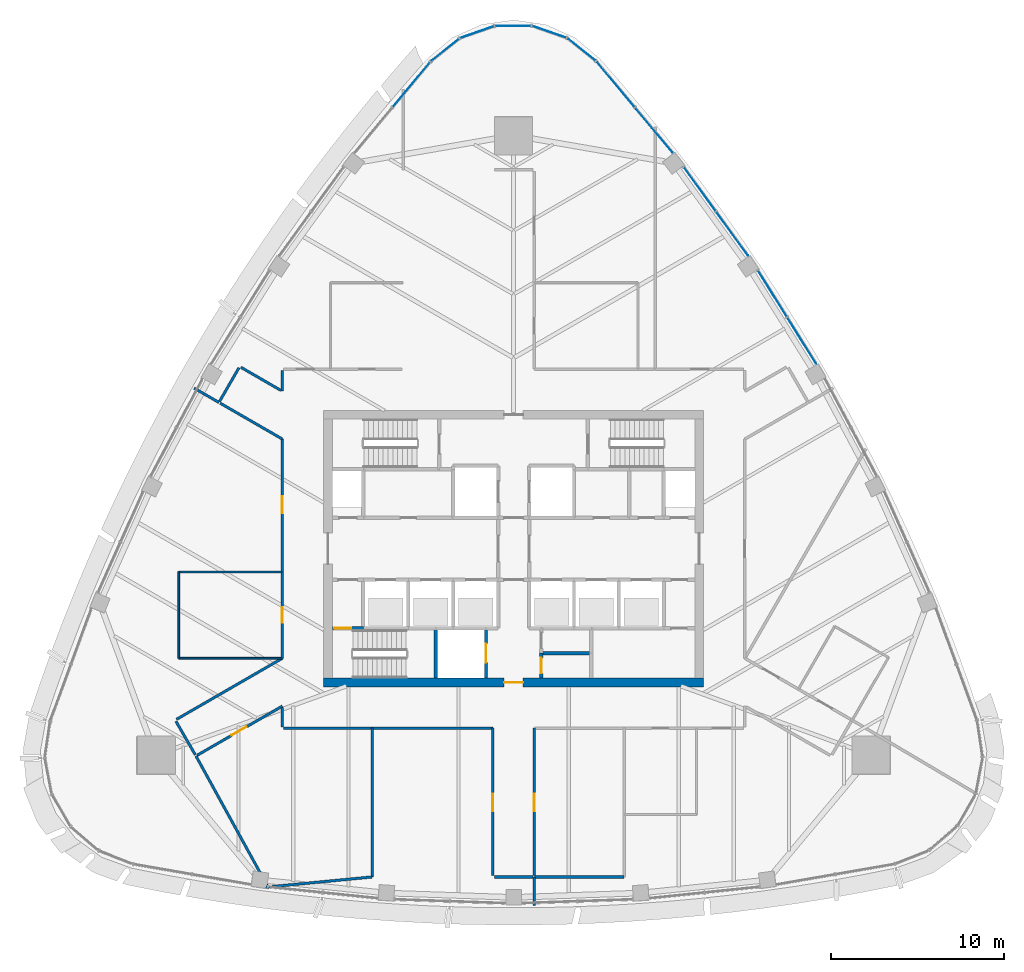
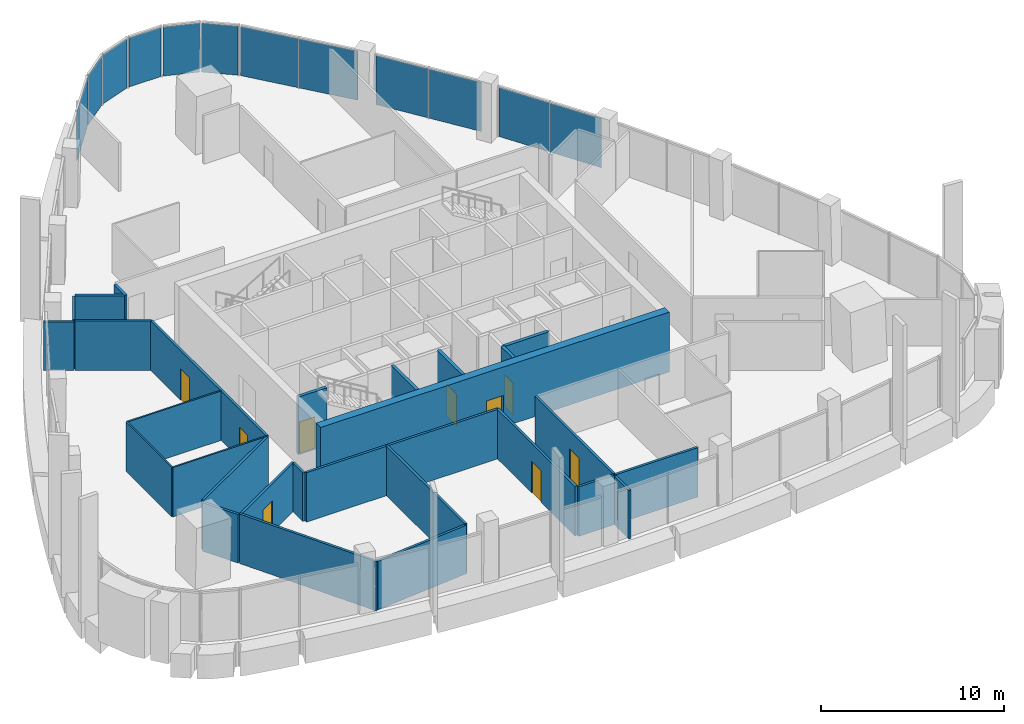
# One storey, part 8 of 18: 29 walls, 12 plates, 9 doors, 9 openings, 9 elements without a shape of their own.
"""IFC4 building model written with IfcOpenShell, lengths in metres."""

from ifc_helpers import new_model, si_unit, direction, frame, frame_2d, origin, origin_2d, place, context, subcontext, project, spatial, rectangle, extrude, material, layer, layer_set, type_object, element, fill, aggregate, save


model = new_model("IFC4")

# Units and contexts
model_context = context("Model", 3, precision=1e-05, world=origin(), true_north=direction((0.0, 1.0)))
body_context = subcontext(model_context, "Body", "Model", "MODEL_VIEW")
ifc_project = project(units=[si_unit("LENGTHUNIT", "METRE"), si_unit("AREAUNIT", "SQUARE_METRE"), si_unit("VOLUMEUNIT", "CUBIC_METRE"), si_unit("PLANEANGLEUNIT", "RADIAN"), si_unit("MASSUNIT", "GRAM", prefix="KILO")], contexts=[model_context])

# Site, building, storey
site_placement = place(None, origin())
site = spatial("IfcSite", under=ifc_project, at=site_placement, CompositionType="ELEMENT")
building_placement = place(site_placement, origin())
building = spatial("IfcBuilding", under=site, at=building_placement, Name="Sierra Prisma Convention Tower", CompositionType="ELEMENT")
storey_placement = place(building_placement, frame((0.0, 0.0, 287.0)))
storey = spatial("IfcBuildingStorey", under=building, at=storey_placement, Name="L65", CompositionType="ELEMENT", Elevation=287.0)

# Curtain wall, plates
ifc_material_1 = material(Name="Aluminium and glass curtain wall", Category="aluminium")
ifc_layer_1 = layer(ifc_material_1, 0.179931640625)
ifc_layer_set_1 = layer_set([ifc_layer_1], Name="CW-1 Plain shaft curtain wall")
curtain_wall_type = type_object("IfcCurtainWallType", Name="CW-1 Plain shaft curtain wall", PredefinedType="NOTDEFINED", material=ifc_layer_set_1)
curtain_wall_1_placement = place(storey_placement, origin())
curtain_wall_1 = element("IfcCurtainWall", 1, at=curtain_wall_1_placement, inside=storey, type_object=curtain_wall_type, Name="CW-1 NE4 L65", PredefinedType="NOTDEFINED")
ifc_material_2 = material(Name="Tinted glass bronze-grey IGU", Category="glass")
ifc_layer_2 = layer(ifc_material_2, 0.028076171875)
ifc_layer_set_2 = layer_set([ifc_layer_2], Name="CW-1 glass panel")
plate_type = type_object("IfcPlateType", Name="CW-1 glass panel", PredefinedType="CURTAIN_PANEL", material=ifc_layer_set_2)
plate_1_placement = place(storey_placement, frame((16.692626953125, 12.04931640625, 0.0), z_axis=(0.0, 0.0, 1.0), x_axis=(-0.52948317465, 0.848320439317, 0.0)))
plate_1 = element("IfcPlate", 2, at=plate_1_placement, type_object=plate_type, Name="CW-1 panel NE4.1", PredefinedType="CURTAIN_PANEL", context=body_context, shape_type="SweptSolid", body=[
    extrude(rectangle(XDim=3.139892578125, YDim=0.028076171875, at=origin_2d()), origin(), (0.0, 0.0, 1.0), 3.280029296875),
])
plate_2_placement = place(storey_placement, frame((14.9931640625, 14.7724609375, 0.0), z_axis=(0.0, 0.0, 1.0), x_axis=(-0.52948317465, 0.848320439317, 0.0)))
plate_2 = element("IfcPlate", 3, at=plate_2_placement, type_object=plate_type, Name="CW-1 panel NE4.2", PredefinedType="CURTAIN_PANEL", context=body_context, shape_type="SweptSolid", body=[
    extrude(rectangle(XDim=3.139892578125, YDim=0.028076171875, at=origin_2d()), origin(), (0.0, 0.0, 1.0), 3.280029296875),
])
aggregate(curtain_wall_1, [plate_1, plate_2])

curtain_wall_2_placement = place(storey_placement, origin())
curtain_wall_2 = element("IfcCurtainWall", 4, at=curtain_wall_2_placement, inside=storey, type_object=curtain_wall_type, Name="CW-1 NE5 L65", PredefinedType="NOTDEFINED")
plate_3_placement = place(storey_placement, frame((12.658935546875, 18.241943359375, 0.0), z_axis=(0.0, 0.0, 1.0), x_axis=(-0.586536697821, 0.80992265193, 0.0)))
plate_3 = element("IfcPlate", 5, at=plate_3_placement, type_object=plate_type, Name="CW-1 panel NE5.1", PredefinedType="CURTAIN_PANEL", context=body_context, shape_type="SweptSolid", body=[
    extrude(rectangle(XDim=3.124755859375, YDim=0.028076171875, at=origin_2d()), origin(), (0.0, 0.0, 1.0), 3.280029296875),
])
plate_4_placement = place(storey_placement, frame((10.784912109375, 20.829345703125, 0.0), z_axis=(0.0, 0.0, 1.0), x_axis=(-0.586536697821, 0.80992265193, 0.0)))
plate_4 = element("IfcPlate", 6, at=plate_4_placement, type_object=plate_type, Name="CW-1 panel NE5.2", PredefinedType="CURTAIN_PANEL", context=body_context, shape_type="SweptSolid", body=[
    extrude(rectangle(XDim=3.124755859375, YDim=0.028076171875, at=origin_2d()), origin(), (0.0, 0.0, 1.0), 3.280029296875),
])
aggregate(curtain_wall_2, [plate_3, plate_4])

curtain_wall_3_placement = place(storey_placement, origin())
curtain_wall_3 = element("IfcCurtainWall", 7, at=curtain_wall_3_placement, inside=storey, type_object=curtain_wall_type, Name="CW-1 NE6 L65", PredefinedType="NOTDEFINED")
plate_5_placement = place(storey_placement, frame((8.125732421875, 24.2431640625, 0.0), z_axis=(0.0, 0.0, 1.0), x_axis=(-0.640816198857, 0.767694339749, 0.0)))
plate_5 = element("IfcPlate", 8, at=plate_5_placement, type_object=plate_type, Name="CW-1 panel NE6.1", PredefinedType="CURTAIN_PANEL", context=body_context, shape_type="SweptSolid", body=[
    extrude(rectangle(XDim=3.370849609375, YDim=0.028076171875, at=origin_2d()), origin(), (0.0, 0.0, 1.0), 3.280029296875),
])
plate_6_placement = place(storey_placement, frame((5.9208984375, 26.884521484375, 0.0), z_axis=(0.0, 0.0, 1.0), x_axis=(-0.640816198857, 0.767694339749, 0.0)))
plate_6 = element("IfcPlate", 9, at=plate_6_placement, type_object=plate_type, Name="CW-1 panel NE6.2", PredefinedType="CURTAIN_PANEL", context=body_context, shape_type="SweptSolid", body=[
    extrude(rectangle(XDim=3.370849609375, YDim=0.028076171875, at=origin_2d()), origin(), (0.0, 0.0, 1.0), 3.280029296875),
])
aggregate(curtain_wall_3, [plate_5, plate_6])

# Curtain wall, plate
curtain_wall_4_placement = place(storey_placement, origin())
curtain_wall_4 = element("IfcCurtainWall", 10, at=curtain_wall_4_placement, inside=storey, type_object=curtain_wall_type, Name="CW-1 N1 L65", PredefinedType="NOTDEFINED")
plate_7_placement = place(storey_placement, frame((3.953369140625, 28.9033203125, 0.0), z_axis=(0.0, 0.0, 1.0), x_axis=(-0.782158144661, 0.62307996015, 0.0)))
plate_7 = element("IfcPlate", 11, at=plate_7_placement, type_object=plate_type, Name="CW-1 panel N1.1", PredefinedType="CURTAIN_PANEL", context=body_context, shape_type="SweptSolid", body=[
    extrude(rectangle(XDim=2.014404296875, YDim=0.028076171875, at=origin_2d()), origin(), (0.0, 0.0, 1.0), 3.280029296875),
])
aggregate(curtain_wall_4, [plate_7])

curtain_wall_5_placement = place(storey_placement, origin())
curtain_wall_5 = element("IfcCurtainWall", 12, at=curtain_wall_5_placement, inside=storey, type_object=curtain_wall_type, Name="CW-1 N2 L65", PredefinedType="NOTDEFINED")
plate_8_placement = place(storey_placement, frame((2.093994140625, 29.93017578125, 0.0), z_axis=(0.0, 0.0, 1.0), x_axis=(-0.943969847151, 0.330031707067, 0.0)))
plate_8 = element("IfcPlate", 13, at=plate_8_placement, type_object=plate_type, Name="CW-1 panel N2.1", PredefinedType="CURTAIN_PANEL", context=body_context, shape_type="SweptSolid", body=[
    extrude(rectangle(XDim=2.014404296875, YDim=0.028076171875, at=origin_2d()), origin(), (0.0, 0.0, 1.0), 3.280029296875),
])
aggregate(curtain_wall_5, [plate_8])

curtain_wall_6_placement = place(storey_placement, origin())
curtain_wall_6 = element("IfcCurtainWall", 14, at=curtain_wall_6_placement, inside=storey, type_object=curtain_wall_type, Name="CW-1 N3 L65", PredefinedType="NOTDEFINED")
plate_9_placement = place(storey_placement, frame((0.0, 30.28564453125, 0.0), z_axis=(0.0, 0.0, 1.0), x_axis=(-1.0, 0.0, 0.0)))
plate_9 = element("IfcPlate", 15, at=plate_9_placement, type_object=plate_type, Name="CW-1 panel N3.1", PredefinedType="CURTAIN_PANEL", context=body_context, shape_type="SweptSolid", body=[
    extrude(rectangle(XDim=2.014404296875, YDim=0.028076171875, at=origin_2d()), origin(), (0.0, 0.0, 1.0), 3.280029296875),
])
aggregate(curtain_wall_6, [plate_9])

curtain_wall_7_placement = place(storey_placement, origin())
curtain_wall_7 = element("IfcCurtainWall", 16, at=curtain_wall_7_placement, inside=storey, type_object=curtain_wall_type, Name="CW-1 N4 L65", PredefinedType="NOTDEFINED")
plate_10_placement = place(storey_placement, frame((-2.093994140625, 29.93017578125, 0.0), z_axis=(0.0, 0.0, 1.0), x_axis=(-0.943969847151, -0.330031707067, 0.0)))
plate_10 = element("IfcPlate", 17, at=plate_10_placement, type_object=plate_type, Name="CW-1 panel N4.1", PredefinedType="CURTAIN_PANEL", context=body_context, shape_type="SweptSolid", body=[
    extrude(rectangle(XDim=2.014404296875, YDim=0.028076171875, at=origin_2d()), origin(), (0.0, 0.0, 1.0), 3.280029296875),
])
aggregate(curtain_wall_7, [plate_10])

curtain_wall_8_placement = place(storey_placement, origin())
curtain_wall_8 = element("IfcCurtainWall", 18, at=curtain_wall_8_placement, inside=storey, type_object=curtain_wall_type, Name="CW-1 N5 L65", PredefinedType="NOTDEFINED")
plate_11_placement = place(storey_placement, frame((-3.953369140625, 28.9033203125, 0.0), z_axis=(0.0, 0.0, 1.0), x_axis=(-0.782158144661, -0.62307996015, 0.0)))
plate_11 = element("IfcPlate", 19, at=plate_11_placement, type_object=plate_type, Name="CW-1 panel N5.1", PredefinedType="CURTAIN_PANEL", context=body_context, shape_type="SweptSolid", body=[
    extrude(rectangle(XDim=2.014404296875, YDim=0.028076171875, at=origin_2d()), origin(), (0.0, 0.0, 1.0), 3.280029296875),
])
aggregate(curtain_wall_8, [plate_11])

curtain_wall_9_placement = place(storey_placement, origin())
curtain_wall_9 = element("IfcCurtainWall", 20, at=curtain_wall_9_placement, inside=storey, type_object=curtain_wall_type, Name="CW-1 NW1 L65", PredefinedType="NOTDEFINED")
plate_12_placement = place(storey_placement, frame((-5.9208984375, 26.884521484375, 0.0), z_axis=(0.0, 0.0, 1.0), x_axis=(-0.640816198857, -0.767694339749, 0.0)))
plate_12 = element("IfcPlate", 21, at=plate_12_placement, type_object=plate_type, Name="CW-1 panel NW1.1", PredefinedType="CURTAIN_PANEL", context=body_context, shape_type="SweptSolid", body=[
    extrude(rectangle(XDim=3.370849609375, YDim=0.028076171875, at=origin_2d()), origin(), (0.0, 0.0, 1.0), 3.280029296875),
])
aggregate(curtain_wall_9, [plate_12])

# Walls
ifc_material_3 = material(Name="Gypsum board partition", Category="gypsum")
ifc_layer_3 = layer(ifc_material_3, 0.10009765625)
ifc_layer_set_3 = layer_set([ifc_layer_3], Name="Bathroom partition 100")
wall_type_1 = type_object("IfcWallType", Name="Bathroom partition 100", PredefinedType="PARTITIONING", material=ifc_layer_set_3)
wall_1_placement = place(storey_placement, frame((-13.4599609375, -6.350830078125, 0.0), z_axis=(0.0, 0.0, 1.0), x_axis=(-1.0, 0.0, 0.0)))
element("IfcWall", 22, at=wall_1_placement, inside=storey, type_object=wall_type_1, Name="Partition L65 bath 1", PredefinedType="PARTITIONING", context=body_context, shape_type="SweptSolid", body=[
    extrude(rectangle(XDim=5.93994140625, YDim=0.10009765625, at=frame_2d((2.969970703125, 0.0))), origin(), (0.0, 0.0, 1.0), 3.300048828125),
])
wall_2_placement = place(storey_placement, frame((-19.39990234375, -6.350830078125, 0.0), z_axis=(0.0, 0.0, 1.0), x_axis=(0.0, 1.0, 0.0)))
element("IfcWall", 23, at=wall_2_placement, inside=storey, type_object=wall_type_1, Name="Partition L65 bath 2", PredefinedType="PARTITIONING", context=body_context, shape_type="SweptSolid", body=[
    extrude(rectangle(XDim=5.0, YDim=0.10009765625, at=frame_2d((2.5, 0.0))), origin(), (0.0, 0.0, 1.0), 3.300048828125),
])
wall_3_placement = place(storey_placement, frame((-19.39990234375, -1.350830078125, 0.0), z_axis=(0.0, 0.0, 1.0), x_axis=(1.0, 0.0, 0.0)))
element("IfcWall", 24, at=wall_3_placement, inside=storey, type_object=wall_type_1, Name="Partition L65 bath 3", PredefinedType="PARTITIONING", context=body_context, shape_type="SweptSolid", body=[
    extrude(rectangle(XDim=5.969970703125, YDim=0.10009765625, at=frame_2d((2.98486328125, 0.0))), origin(), (0.0, 0.0, 1.0), 3.300048828125),
])

# Wall, opening, door
ifc_material_4 = material(Name="Concrete C30/37", Category="concrete")
ifc_layer_4 = layer(ifc_material_4, 0.199951171875)
ifc_layer_set_4 = layer_set([ifc_layer_4], Name="Core wall RC 200 C30/37")
wall_type_2 = type_object("IfcWallType", Name="Core wall RC 200 C30/37", PredefinedType="SOLIDWALL", material=ifc_layer_set_4)
wall_4_placement = place(storey_placement, frame((-10.5, -4.60009765625, 0.0), z_axis=(0.0, 0.0, 1.0), x_axis=(1.0, 0.0, 0.0)))
wall_4 = element("IfcWall", 25, at=wall_4_placement, inside=storey, type_object=wall_type_2, Name="Core wall L65 1", PredefinedType="SOLIDWALL", context=body_context, shape_type="SweptSolid", body=[
    extrude(rectangle(XDim=1.800048828125, YDim=0.199951171875, at=frame_2d((0.89990234375, 0.0))), origin(), (0.0, 0.0, 1.0), 3.85009765625),
])
opening_1_placement = place(wall_4_placement, frame((0.10009765625, 0.0, 0.0)))
opening_1 = element("IfcOpeningElement", 26, at=opening_1_placement, cuts=wall_4, Name="Opening L65-D017", PredefinedType="OPENING", context=body_context, shape_type="SweptSolid", body=[
    extrude(rectangle(XDim=1.0, YDim=2.10009765625, at=frame_2d((0.5, 1.050048828125))), frame((0.0, 0.10009765625, 0.0), z_axis=(0.0, -1.0, 0.0), x_axis=(1.0, 0.0, 0.0)), (0.0, 0.0, 1.0), 0.199951171875),
])
ifc_material_5 = material(Name="Steel fire door leaf", Category="steel")
door_type_1 = type_object("IfcDoorType", Name="Door 1000x2100 FD90S", OperationType="SINGLE_SWING_LEFT", PredefinedType="DOOR", material=ifc_material_5)
door_1_placement = place(opening_1_placement, origin())
door_1 = element("IfcDoor", 27, at=door_1_placement, inside=storey, type_object=door_type_1, Name="Door L65 32", OperationType="SINGLE_SWING_LEFT", OverallHeight=2.10009765625, OverallWidth=1.0, PredefinedType="DOOR", context=body_context, shape_type="SweptSolid", body=[
    extrude(rectangle(XDim=1.0, YDim=2.10009765625, at=frame_2d((0.5, 1.050048828125))), frame((0.0, 0.02490234375, 0.0), z_axis=(0.0, -1.0, 0.0), x_axis=(1.0, 0.0, 0.0)), (0.0, 0.0, 1.0), 0.050048828125),
])
fill(opening_1, door_1)

# Wall
wall_5_placement = place(storey_placement, frame((-4.5, -4.60009765625, 0.0), z_axis=(0.0, 0.0, 1.0), x_axis=(0.0, -1.0, 0.0)))
element("IfcWall", 28, at=wall_5_placement, inside=storey, type_object=wall_type_2, Name="Core wall L65 14", PredefinedType="SOLIDWALL", context=body_context, shape_type="SweptSolid", body=[
    extrude(rectangle(XDim=2.89990234375, YDim=0.199951171875, at=frame_2d((1.449951171875, 0.0))), origin(), (0.0, 0.0, 1.0), 3.85009765625),
])

# Wall, opening, door
wall_6_placement = place(storey_placement, frame((-1.60009765625, -7.5, 0.0), z_axis=(0.0, 0.0, 1.0), x_axis=(0.0, 1.0, 0.0)))
wall_6 = element("IfcWall", 29, at=wall_6_placement, inside=storey, type_object=wall_type_2, Name="Core wall L65 26", PredefinedType="SOLIDWALL", context=body_context, shape_type="SweptSolid", body=[
    extrude(rectangle(XDim=2.89990234375, YDim=0.199951171875, at=frame_2d((1.449951171875, 0.0))), origin(), (0.0, 0.0, 1.0), 3.85009765625),
])
opening_2_placement = place(wall_6_placement, frame((0.89990234375, 0.0, 0.0)))
opening_2 = element("IfcOpeningElement", 30, at=opening_2_placement, cuts=wall_6, Name="Opening L65-D009", PredefinedType="OPENING", context=body_context, shape_type="SweptSolid", body=[
    extrude(rectangle(XDim=1.10009765625, YDim=2.10009765625, at=frame_2d((0.550048828125, 1.050048828125))), frame((0.0, 0.10009765625, 0.0), z_axis=(0.0, -1.0, 0.0), x_axis=(1.0, 0.0, 0.0)), (0.0, 0.0, 1.0), 0.199951171875),
])
ifc_material_6 = material(Name="Steel fire door leaf", Category="steel")
door_type_2 = type_object("IfcDoorType", Name="Door 1100x2100 EI 90 sliding lift landing", OperationType="SLIDING_TO_LEFT", PredefinedType="DOOR", material=ifc_material_6)
door_2_placement = place(opening_2_placement, origin())
door_2 = element("IfcDoor", 31, at=door_2_placement, inside=storey, type_object=door_type_2, Name="Door L65 24", OperationType="SLIDING_TO_RIGHT", OverallHeight=2.10009765625, OverallWidth=1.10009765625, PredefinedType="DOOR", context=body_context, shape_type="SweptSolid", body=[
    extrude(rectangle(XDim=1.10009765625, YDim=2.10009765625, at=frame_2d((0.550048828125, 1.050048828125))), frame((0.0, 0.02490234375, 0.0), z_axis=(0.0, -1.0, 0.0), x_axis=(1.0, 0.0, 0.0)), (0.0, 0.0, 1.0), 0.050048828125),
])
fill(opening_2, door_2)

wall_7_placement = place(storey_placement, frame((1.60009765625, -6.050048828125, 0.0), z_axis=(0.0, 0.0, 1.0), x_axis=(0.0, -1.0, 0.0)))
wall_7 = element("IfcWall", 32, at=wall_7_placement, inside=storey, type_object=wall_type_2, Name="Core wall L65 40", PredefinedType="SOLIDWALL", context=body_context, shape_type="SweptSolid", body=[
    extrude(rectangle(XDim=1.449951171875, YDim=0.199951171875, at=frame_2d((0.72509765625, 0.0))), origin(), (0.0, 0.0, 1.0), 3.85009765625),
])
opening_3_placement = place(wall_7_placement, frame((0.27490234375, 0.0, 0.0)))
opening_3 = element("IfcOpeningElement", 33, at=opening_3_placement, cuts=wall_7, Name="Opening L65-D025", PredefinedType="OPENING", context=body_context, shape_type="SweptSolid", body=[
    extrude(rectangle(XDim=0.89990234375, YDim=2.10009765625, at=frame_2d((0.449951171875, 1.050048828125))), frame((0.0, 0.10009765625, 0.0), z_axis=(0.0, -1.0, 0.0), x_axis=(1.0, 0.0, 0.0)), (0.0, 0.0, 1.0), 0.199951171875),
])
ifc_material_7 = material(Name="Steel fire door leaf", Category="steel")
door_type_3 = type_object("IfcDoorType", Name="Door 900x2100 FD30S", OperationType="SINGLE_SWING_LEFT", PredefinedType="DOOR", material=ifc_material_7)
door_3_placement = place(opening_3_placement, origin())
door_3 = element("IfcDoor", 34, at=door_3_placement, inside=storey, type_object=door_type_3, Name="Door L65 40", OperationType="SINGLE_SWING_LEFT", OverallHeight=2.10009765625, OverallWidth=0.89990234375, PredefinedType="DOOR", context=body_context, shape_type="SweptSolid", body=[
    extrude(rectangle(XDim=0.89990234375, YDim=2.10009765625, at=frame_2d((0.449951171875, 1.050048828125))), frame((0.0, 0.02490234375, 0.0), z_axis=(0.0, -1.0, 0.0), x_axis=(1.0, 0.0, 0.0)), (0.0, 0.0, 1.0), 0.050048828125),
])
fill(opening_3, door_3)

# Wall
wall_8_placement = place(storey_placement, frame((4.5, -6.050048828125, 0.0), z_axis=(0.0, 0.0, 1.0), x_axis=(-1.0, 0.0, 0.0)))
element("IfcWall", 35, at=wall_8_placement, inside=storey, type_object=wall_type_2, Name="Core wall L65 41", PredefinedType="SOLIDWALL", context=body_context, shape_type="SweptSolid", body=[
    extrude(rectangle(XDim=2.89990234375, YDim=0.199951171875, at=frame_2d((1.449951171875, 0.0))), origin(), (0.0, 0.0, 1.0), 3.85009765625),
])

# Wall, opening, door
ifc_material_8 = material(Name="Concrete C50/60", Category="concrete")
ifc_layer_5 = layer(ifc_material_8, 0.5)
ifc_layer_set_5 = layer_set([ifc_layer_5], Name="Core wall RC 500 C50/60")
wall_type_3 = type_object("IfcWallType", Name="Core wall RC 500 C50/60", PredefinedType="SHEAR", material=ifc_layer_set_5)
wall_9_placement = place(storey_placement, frame((-11.0, -7.75, 0.0), z_axis=(0.0, 0.0, 1.0), x_axis=(1.0, 0.0, 0.0)))
wall_9 = element("IfcWall", 36, at=wall_9_placement, inside=storey, type_object=wall_type_3, Name="Core wall S L65", PredefinedType="SHEAR", context=body_context, shape_type="SweptSolid", body=[
    extrude(rectangle(XDim=22.0, YDim=0.5, at=frame_2d((11.0, 0.0))), origin(), (0.0, 0.0, 1.0), 4.0),
])
opening_4_placement = place(wall_9_placement, frame((10.449951171875, 0.0, 0.0)))
opening_4 = element("IfcOpeningElement", 37, at=opening_4_placement, cuts=wall_9, Name="Opening L65-D044", PredefinedType="OPENING", context=body_context, shape_type="SweptSolid", body=[
    extrude(rectangle(XDim=1.10009765625, YDim=2.10009765625, at=frame_2d((0.550048828125, 1.050048828125))), frame((0.0, 0.25, 0.0), z_axis=(0.0, -1.0, 0.0), x_axis=(1.0, 0.0, 0.0)), (0.0, 0.0, 1.0), 0.5),
])
ifc_material_9 = material(Name="Steel fire door leaf", Category="steel")
door_type_4 = type_object("IfcDoorType", Name="Door 1100x2100 FD30S", OperationType="SINGLE_SWING_LEFT", PredefinedType="DOOR", material=ifc_material_9)
door_4_placement = place(opening_4_placement, origin())
door_4 = element("IfcDoor", 38, at=door_4_placement, inside=storey, type_object=door_type_4, Name="Door L65 45", OperationType="SINGLE_SWING_LEFT", OverallHeight=2.10009765625, OverallWidth=1.10009765625, PredefinedType="DOOR", context=body_context, shape_type="SweptSolid", body=[
    extrude(rectangle(XDim=1.10009765625, YDim=2.10009765625, at=frame_2d((0.550048828125, 1.050048828125))), frame((0.0, 0.02490234375, 0.0), z_axis=(0.0, -1.0, 0.0), x_axis=(1.0, 0.0, 0.0)), (0.0, 0.0, 1.0), 0.050048828125),
])
fill(opening_4, door_4)

# Walls
ifc_material_10 = material(Name="Gypsum board partition", Category="gypsum")
ifc_layer_6 = layer(ifc_material_10, 0.14990234375)
ifc_layer_set_6 = layer_set([ifc_layer_6], Name="Corridor wall 150 gypsum EI 60")
wall_type_4 = type_object("IfcWallType", Name="Corridor wall 150 gypsum EI 60", PredefinedType="PARTITIONING", material=ifc_layer_set_6)
wall_10_placement = place(storey_placement, frame((-19.561279296875, -10.00048828125, 0.0), z_axis=(0.0, 0.0, 1.0), x_axis=(0.500077830873, -0.865980463445, 0.0)))
element("IfcWall", 39, at=wall_10_placement, inside=storey, type_object=wall_type_4, Name="Partition L65 corr 1", PredefinedType="PARTITIONING", context=body_context, shape_type="SweptSolid", body=[
    extrude(rectangle(XDim=2.239990234375, YDim=0.14990234375, at=frame_2d((1.1201171875, 0.0))), origin(), (0.0, 0.0, 1.0), 3.23291015625),
])
wall_11_placement = place(storey_placement, frame((-17.001220703125, 8.429931640625, 0.0), z_axis=(0.0, 0.0, 1.0), x_axis=(0.866037957609, -0.499978255508, 0.0)))
element("IfcWall", 40, at=wall_11_placement, inside=storey, type_object=wall_type_4, Name="Partition L65 corr 2", PredefinedType="PARTITIONING", context=body_context, shape_type="SweptSolid", body=[
    extrude(rectangle(XDim=4.158447265625, YDim=0.14990234375, at=frame_2d((2.0791015625, 0.0))), origin(), (0.0, 0.0, 1.0), 3.300048828125),
])

# Wall, openings, doors
wall_12_placement = place(storey_placement, frame((-13.39990234375, 6.350830078125, 0.0), z_axis=(0.0, 0.0, 1.0), x_axis=(0.0, -1.0, 0.0)))
wall_12 = element("IfcWall", 41, at=wall_12_placement, inside=storey, type_object=wall_type_4, Name="Partition L65 corr 3", PredefinedType="PARTITIONING", context=body_context, shape_type="SweptSolid", body=[
    extrude(rectangle(XDim=12.70166015625, YDim=0.14990234375, at=frame_2d((6.350830078125, 0.0))), origin(), (0.0, 0.0, 1.0), 3.300048828125),
])
opening_5_placement = place(wall_12_placement, frame((9.751708984375, 0.0, 0.0)))
opening_5 = element("IfcOpeningElement", 42, at=opening_5_placement, cuts=wall_12, Name="Opening L65-D033", PredefinedType="OPENING", context=body_context, shape_type="SweptSolid", body=[
    extrude(rectangle(XDim=0.89990234375, YDim=2.10009765625, at=frame_2d((0.449951171875, 1.050048828125))), frame((0.0, 0.074951171875, 0.0), z_axis=(0.0, -1.0, 0.0), x_axis=(1.0, 0.0, 0.0)), (0.0, 0.0, 1.0), 0.14990234375),
])
opening_6_placement = place(wall_12_placement, frame((3.30078125, 0.0, 0.0)))
opening_6 = element("IfcOpeningElement", 43, at=opening_6_placement, cuts=wall_12, Name="Opening L65-D034", PredefinedType="OPENING", context=body_context, shape_type="SweptSolid", body=[
    extrude(rectangle(XDim=1.0, YDim=2.10009765625, at=frame_2d((0.5, 1.050048828125))), frame((0.0, 0.074951171875, 0.0), z_axis=(0.0, -1.0, 0.0), x_axis=(1.0, 0.0, 0.0)), (0.0, 0.0, 1.0), 0.14990234375),
])
ifc_material_11 = material(Name="Steel fire door leaf", Category="steel")
door_type_5 = type_object("IfcDoorType", Name="Door 1000x2100 FD30S", OperationType="SINGLE_SWING_LEFT", PredefinedType="DOOR", material=ifc_material_11)
door_5_placement = place(opening_6_placement, origin())
door_5 = element("IfcDoor", 44, at=door_5_placement, inside=storey, type_object=door_type_5, Name="Door L65 8", OperationType="SINGLE_SWING_LEFT", OverallHeight=2.10009765625, OverallWidth=1.0, PredefinedType="DOOR", context=body_context, shape_type="SweptSolid", body=[
    extrude(rectangle(XDim=1.0, YDim=2.10009765625, at=frame_2d((0.5, 1.050048828125))), frame((0.0, 0.02490234375, 0.0), z_axis=(0.0, -1.0, 0.0), x_axis=(1.0, 0.0, 0.0)), (0.0, 0.0, 1.0), 0.050048828125),
])
fill(opening_6, door_5)
door_6_placement = place(opening_5_placement, origin())
door_6 = element("IfcDoor", 45, at=door_6_placement, inside=storey, type_object=door_type_3, Name="Door L65 7", OperationType="SINGLE_SWING_LEFT", OverallHeight=2.10009765625, OverallWidth=0.89990234375, PredefinedType="DOOR", context=body_context, shape_type="SweptSolid", body=[
    extrude(rectangle(XDim=0.89990234375, YDim=2.10009765625, at=frame_2d((0.449951171875, 1.050048828125))), frame((0.0, 0.02490234375, 0.0), z_axis=(0.0, -1.0, 0.0), x_axis=(1.0, 0.0, 0.0)), (0.0, 0.0, 1.0), 0.050048828125),
])
fill(opening_5, door_6)

# Wall
wall_13_placement = place(storey_placement, frame((-13.39990234375, -6.350830078125, 0.0), z_axis=(0.0, 0.0, 1.0), x_axis=(-0.86602998301, -0.499992068465, 0.0)))
element("IfcWall", 46, at=wall_13_placement, inside=storey, type_object=wall_type_4, Name="Partition L65 corr 4", PredefinedType="PARTITIONING", context=body_context, shape_type="SweptSolid", body=[
    extrude(rectangle(XDim=7.08056640625, YDim=0.14990234375, at=frame_2d((3.540283203125, 0.0))), origin(), (0.0, 0.0, 1.0), 3.300048828125),
])

# Wall, opening, door
wall_14_placement = place(storey_placement, frame((-18.331787109375, -11.969482421875, 0.0), z_axis=(0.0, 0.0, 1.0), x_axis=(0.866026383709, 0.499998302717, 0.0)))
wall_14 = element("IfcWall", 47, at=wall_14_placement, inside=storey, type_object=wall_type_4, Name="Partition L65 corr 5", PredefinedType="PARTITIONING", context=body_context, shape_type="SweptSolid", body=[
    extrude(rectangle(XDim=5.69482421875, YDim=0.14990234375, at=frame_2d((2.847412109375, 0.0))), origin(), (0.0, 0.0, 1.0), 3.23291015625),
])
opening_7_placement = place(wall_14_placement, frame((2.3076171875, 0.0, 0.0)))
opening_7 = element("IfcOpeningElement", 48, at=opening_7_placement, cuts=wall_14, Name="Opening L65-D035", PredefinedType="OPENING", context=body_context, shape_type="SweptSolid", body=[
    extrude(rectangle(XDim=1.0, YDim=2.10009765625, at=frame_2d((0.5, 1.050048828125))), frame((0.0, 0.074951171875, 0.0), z_axis=(0.0, -1.0, 0.0), x_axis=(1.0, 0.0, 0.0)), (0.0, 0.0, 1.0), 0.14990234375),
])
door_7_placement = place(opening_7_placement, origin())
door_7 = element("IfcDoor", 49, at=door_7_placement, inside=storey, type_object=door_type_5, Name="Door L65 9", OperationType="SINGLE_SWING_LEFT", OverallHeight=2.10009765625, OverallWidth=1.0, PredefinedType="DOOR", context=body_context, shape_type="SweptSolid", body=[
    extrude(rectangle(XDim=1.0, YDim=2.10009765625, at=frame_2d((0.5, 1.050048828125))), frame((0.0, 0.02490234375, 0.0), z_axis=(0.0, -1.0, 0.0), x_axis=(1.0, 0.0, 0.0)), (0.0, 0.0, 1.0), 0.050048828125),
])
fill(opening_7, door_7)

# Walls
wall_15_placement = place(storey_placement, frame((-13.39990234375, -9.213623046875, 0.0), z_axis=(0.0, 0.0, 1.0), x_axis=(0.0, -1.0, 0.0)))
element("IfcWall", 50, at=wall_15_placement, inside=storey, type_object=wall_type_4, Name="Partition L65 corr 6", PredefinedType="PARTITIONING", context=body_context, shape_type="SweptSolid", body=[
    extrude(rectangle(XDim=1.1064453125, YDim=0.14990234375, at=frame_2d((0.55322265625, 0.0))), origin(), (0.0, 0.0, 1.0), 3.23291015625),
])
wall_16_placement = place(storey_placement, frame((-15.910400390625, 10.479248046875, 0.0), z_axis=(0.0, 0.0, 1.0), x_axis=(-0.500030632641, -0.866007717299, 0.0)))
element("IfcWall", 51, at=wall_16_placement, inside=storey, type_object=wall_type_4, Name="Partition L65 corr 7", PredefinedType="PARTITIONING", context=body_context, shape_type="SweptSolid", body=[
    extrude(rectangle(XDim=2.239990234375, YDim=0.14990234375, at=frame_2d((1.1201171875, 0.0))), origin(), (0.0, 0.0, 1.0), 3.300048828125),
])
wall_17_placement = place(storey_placement, frame((-13.39990234375, 10.320068359375, 0.0), z_axis=(0.0, 0.0, 1.0), x_axis=(0.0, -1.0, 0.0)))
element("IfcWall", 52, at=wall_17_placement, inside=storey, type_object=wall_type_4, Name="Partition L65 corr 8", PredefinedType="PARTITIONING", context=body_context, shape_type="SweptSolid", body=[
    extrude(rectangle(XDim=1.197998046875, YDim=0.14990234375, at=frame_2d((0.59912109375, 0.0))), origin(), (0.0, 0.0, 1.0), 3.300048828125),
])
wall_18_placement = place(storey_placement, frame((-13.479248046875, 9.16796875, 0.0), z_axis=(0.0, 0.0, 1.0), x_axis=(-0.866032438121, 0.499987815973, 0.0)))
element("IfcWall", 53, at=wall_18_placement, inside=storey, type_object=wall_type_4, Name="Partition L65 corr 9", PredefinedType="PARTITIONING", context=body_context, shape_type="SweptSolid", body=[
    extrude(rectangle(XDim=2.68115234375, YDim=0.14990234375, at=frame_2d((1.340576171875, 0.0))), origin(), (0.0, 0.0, 1.0), 3.300048828125),
])
wall_19_placement = place(storey_placement, frame((-13.320068359375, -10.39990234375, 0.0), z_axis=(0.0, 0.0, 1.0), x_axis=(1.0, 0.0, 0.0)))
element("IfcWall", 54, at=wall_19_placement, inside=storey, type_object=wall_type_4, Name="Partition L65 corr 10", PredefinedType="PARTITIONING", context=body_context, shape_type="SweptSolid", body=[
    extrude(rectangle(XDim=12.1201171875, YDim=0.14990234375, at=frame_2d((6.06005859375, 0.0))), origin(), (0.0, 0.0, 1.0), 3.300048828125),
])

# Wall, opening, door
wall_20_placement = place(storey_placement, frame((-1.199951171875, -10.39990234375, 0.0), z_axis=(0.0, 0.0, 1.0), x_axis=(0.0, -1.0, 0.0)))
wall_20 = element("IfcWall", 55, at=wall_20_placement, inside=storey, type_object=wall_type_4, Name="Partition L65 corr 11", PredefinedType="PARTITIONING", context=body_context, shape_type="SweptSolid", body=[
    extrude(rectangle(XDim=8.53857421875, YDim=0.14990234375, at=frame_2d((4.269287109375, 0.0))), origin(), (0.0, 0.0, 1.0), 3.300048828125),
])
opening_8_placement = place(wall_20_placement, frame((3.809326171875, 0.0, 0.0)))
opening_8 = element("IfcOpeningElement", 56, at=opening_8_placement, cuts=wall_20, Name="Opening L65-D036", PredefinedType="OPENING", context=body_context, shape_type="SweptSolid", body=[
    extrude(rectangle(XDim=1.0, YDim=2.10009765625, at=frame_2d((0.5, 1.050048828125))), frame((0.0, 0.074951171875, 0.0), z_axis=(0.0, -1.0, 0.0), x_axis=(1.0, 0.0, 0.0)), (0.0, 0.0, 1.0), 0.14990234375),
])
door_8_placement = place(opening_8_placement, origin())
door_8 = element("IfcDoor", 57, at=door_8_placement, inside=storey, type_object=door_type_5, Name="Door L65 10", OperationType="SINGLE_SWING_RIGHT", OverallHeight=2.10009765625, OverallWidth=1.0, PredefinedType="DOOR", context=body_context, shape_type="SweptSolid", body=[
    extrude(rectangle(XDim=1.0, YDim=2.10009765625, at=frame_2d((0.5, 1.050048828125))), frame((0.0, 0.02490234375, 0.0), z_axis=(0.0, -1.0, 0.0), x_axis=(1.0, 0.0, 0.0)), (0.0, 0.0, 1.0), 0.050048828125),
])
fill(opening_8, door_8)

# Wall
wall_21_placement = place(storey_placement, frame((-1.1201171875, -19.0185546875, 0.0), z_axis=(0.0, 0.0, 1.0), x_axis=(1.0, 0.0, 0.0)))
element("IfcWall", 58, at=wall_21_placement, inside=storey, type_object=wall_type_4, Name="Partition L65 corr 13", PredefinedType="PARTITIONING", context=body_context, shape_type="SweptSolid", body=[
    extrude(rectangle(XDim=2.240234375, YDim=0.14990234375, at=frame_2d((1.1201171875, 0.0))), origin(), (0.0, 0.0, 1.0), 3.300048828125),
])

# Wall, opening, door
wall_22_placement = place(storey_placement, frame((1.199951171875, -18.9384765625, 0.0), z_axis=(0.0, 0.0, 1.0), x_axis=(0.0, 1.0, 0.0)))
wall_22 = element("IfcWall", 59, at=wall_22_placement, inside=storey, type_object=wall_type_4, Name="Partition L65 corr 15", PredefinedType="PARTITIONING", context=body_context, shape_type="SweptSolid", body=[
    extrude(rectangle(XDim=8.53857421875, YDim=0.14990234375, at=frame_2d((4.269287109375, 0.0))), origin(), (0.0, 0.0, 1.0), 3.300048828125),
])
opening_9_placement = place(wall_22_placement, frame((3.729248046875, 0.0, 0.0)))
opening_9 = element("IfcOpeningElement", 60, at=opening_9_placement, cuts=wall_22, Name="Opening L65-D037", PredefinedType="OPENING", context=body_context, shape_type="SweptSolid", body=[
    extrude(rectangle(XDim=1.0, YDim=2.10009765625, at=frame_2d((0.5, 1.050048828125))), frame((0.0, 0.074951171875, 0.0), z_axis=(0.0, -1.0, 0.0), x_axis=(1.0, 0.0, 0.0)), (0.0, 0.0, 1.0), 0.14990234375),
])
door_9_placement = place(opening_9_placement, origin())
door_9 = element("IfcDoor", 61, at=door_9_placement, inside=storey, type_object=door_type_5, Name="Door L65 11", OperationType="SINGLE_SWING_LEFT", OverallHeight=2.10009765625, OverallWidth=1.0, PredefinedType="DOOR", context=body_context, shape_type="SweptSolid", body=[
    extrude(rectangle(XDim=1.0, YDim=2.10009765625, at=frame_2d((0.5, 1.050048828125))), frame((0.0, 0.02490234375, 0.0), z_axis=(0.0, -1.0, 0.0), x_axis=(1.0, 0.0, 0.0)), (0.0, 0.0, 1.0), 0.050048828125),
])
fill(opening_9, door_9)

# Walls
ifc_material_12 = material(Name="Gypsum board partition", Category="gypsum")
ifc_layer_7 = layer(ifc_material_12, 0.14990234375)
ifc_layer_set_7 = layer_set([ifc_layer_7], Name="Party wall 150 gypsum")
wall_type_5 = type_object("IfcWallType", Name="Party wall 150 gypsum", PredefinedType="PARTITIONING", material=ifc_layer_set_7)
wall_23_placement = place(storey_placement, frame((-18.401123046875, -12.009521484375, 0.0), z_axis=(0.0, 0.0, 1.0), x_axis=(0.481538391905, -0.876424998002, 0.0)))
element("IfcWall", 62, at=wall_23_placement, inside=storey, type_object=wall_type_5, Name="Partition L65 party 1", PredefinedType="PARTITIONING", context=body_context, shape_type="SweptSolid", body=[
    extrude(rectangle(XDim=8.551025390625, YDim=0.14990234375, at=frame_2d((4.275390625, 0.0))), origin(), (0.0, 0.0, 1.0), 3.300048828125),
])
wall_24_placement = place(storey_placement, frame((-17.070556640625, 8.469970703125, 0.0), z_axis=(0.0, 0.0, 1.0), x_axis=(-0.866011236992, 0.500024536802, 0.0)))
element("IfcWall", 63, at=wall_24_placement, inside=storey, type_object=wall_type_5, Name="Partition L65 party 2", PredefinedType="PARTITIONING", context=body_context, shape_type="SweptSolid", body=[
    extrude(rectangle(XDim=1.65576171875, YDim=0.14990234375, at=frame_2d((0.827880859375, 0.0))), origin(), (0.0, 0.0, 1.0), 3.23388671875),
])
wall_25_placement = place(storey_placement, frame((-8.199951171875, -10.39990234375, 0.0), z_axis=(0.0, 0.0, 1.0), x_axis=(0.0, -1.0, 0.0)))
element("IfcWall", 64, at=wall_25_placement, inside=storey, type_object=wall_type_5, Name="Partition L65 party 3", PredefinedType="PARTITIONING", context=body_context, shape_type="SweptSolid", body=[
    extrude(rectangle(XDim=8.61865234375, YDim=0.14990234375, at=frame_2d((4.309326171875, 0.0))), origin(), (0.0, 0.0, 1.0), 3.300048828125),
])
wall_26_placement = place(storey_placement, frame((-8.199951171875, -19.0185546875, 0.0), z_axis=(0.0, 0.0, 1.0), x_axis=(-0.995385286617, -0.09595900784, 0.0)))
element("IfcWall", 65, at=wall_26_placement, inside=storey, type_object=wall_type_5, Name="Partition L65 party 4", PredefinedType="PARTITIONING", context=body_context, shape_type="SweptSolid", body=[
    extrude(rectangle(XDim=5.961181640625, YDim=0.14990234375, at=frame_2d((2.98046875, 0.0))), origin(), (0.0, 0.0, 1.0), 3.23388671875),
])
wall_27_placement = place(storey_placement, frame((-14.18359375, -19.677001953125, 0.0), z_axis=(0.0, 0.0, 1.0), x_axis=(-0.763090850206, 0.646291230276, 0.0)))
element("IfcWall", 66, at=wall_27_placement, inside=storey, type_object=wall_type_5, Name="Partition L65 party 5", PredefinedType="PARTITIONING", context=body_context, shape_type="SweptSolid", body=[
    extrude(rectangle(XDim=0.188232421875, YDim=0.14990234375, at=frame_2d((0.09423828125, 0.0))), origin(), (0.0, 0.0, 1.0), 3.300048828125),
])
wall_28_placement = place(storey_placement, frame((6.39990234375, -19.0185546875, 0.0), z_axis=(0.0, 0.0, 1.0), x_axis=(-1.0, 0.0, 0.0)))
element("IfcWall", 67, at=wall_28_placement, inside=storey, type_object=wall_type_5, Name="Partition L65 party 8", PredefinedType="PARTITIONING", context=body_context, shape_type="SweptSolid", body=[
    extrude(rectangle(XDim=5.199951171875, YDim=0.14990234375, at=frame_2d((2.60009765625, 0.0))), origin(), (0.0, 0.0, 1.0), 3.300048828125),
])
wall_29_placement = place(storey_placement, frame((1.199951171875, -19.0185546875, 0.0), z_axis=(0.0, 0.0, 1.0), x_axis=(0.0, -1.0, 0.0)))
element("IfcWall", 68, at=wall_29_placement, inside=storey, type_object=wall_type_5, Name="Partition L65 party 9", PredefinedType="PARTITIONING", context=body_context, shape_type="SweptSolid", body=[
    extrude(rectangle(XDim=1.65576171875, YDim=0.14990234375, at=frame_2d((0.827880859375, 0.0))), origin(), (0.0, 0.0, 1.0), 3.23388671875),
])

save(model, "model.ifc")
